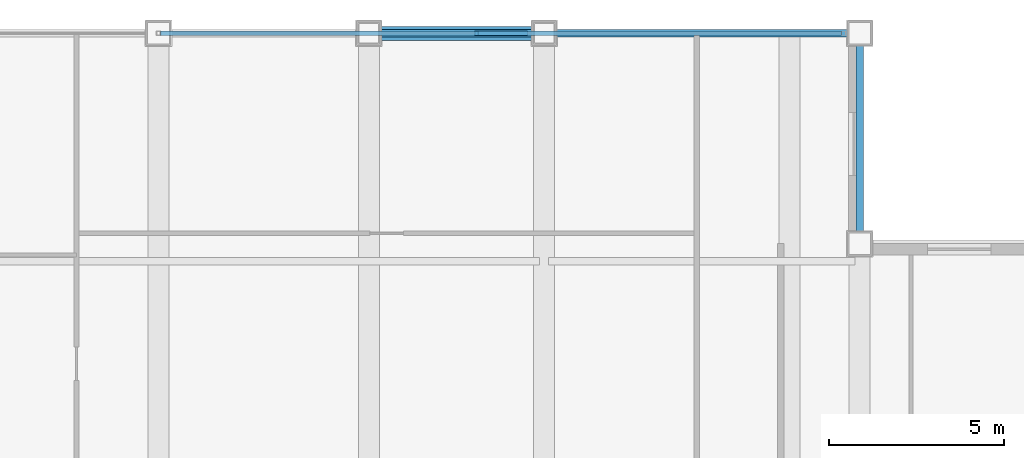
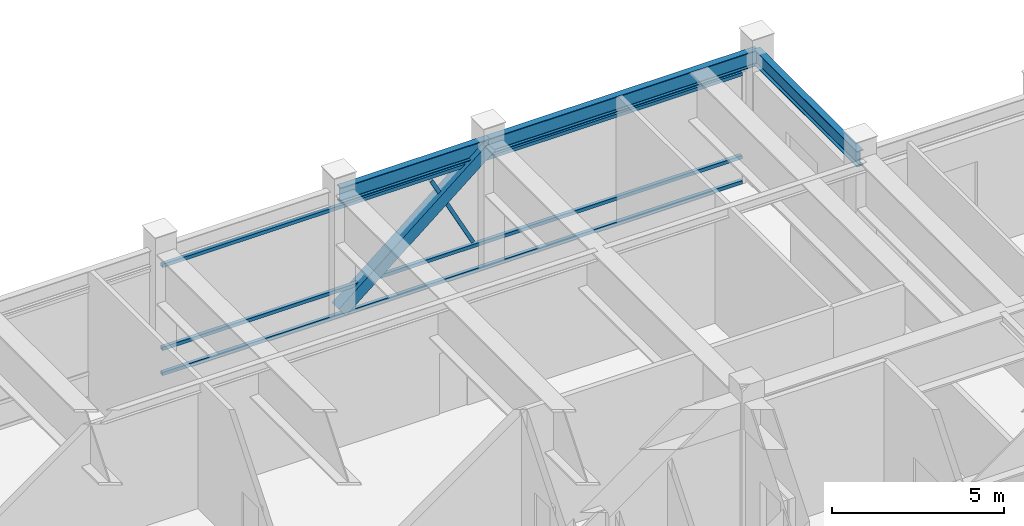
# One storey, part 21 of 29: 5 members, 3 beams, 1 element without a shape of its own.
"""IFC4 building model written with IfcOpenShell, lengths in metres."""

from ifc_helpers import new_model, si_unit, direction, frame, origin, origin_2d, place, context, subcontext, project, spatial, hollow_rectangle, i_section, extrude, source, transform, mapped, material, material_profile, profile_set, type_object, element, aggregate, save


model = new_model("IFC4")

# Units and contexts
model_context = context("Model", 3, precision=1e-05, world=origin(), true_north=direction((0.0, 1.0)))
body_context = subcontext(model_context, "Body", "Model", "MODEL_VIEW")
ifc_project = project(units=[si_unit("LENGTHUNIT", "METRE"), si_unit("AREAUNIT", "SQUARE_METRE"), si_unit("VOLUMEUNIT", "CUBIC_METRE"), si_unit("PLANEANGLEUNIT", "RADIAN"), si_unit("MASSUNIT", "GRAM", prefix="KILO")], contexts=[model_context])

# Site, building, storey
site_placement = place(None, origin())
site = spatial("IfcSite", under=ifc_project, at=site_placement, CompositionType="ELEMENT")
building_placement = place(site_placement, origin())
building = spatial("IfcBuilding", under=site, at=building_placement, Name="Khorayat Bourse Tower", CompositionType="ELEMENT")
storey_placement = place(building_placement, frame((0.0, 0.0, 370.300048828125)))
storey = spatial("IfcBuildingStorey", under=building, at=storey_placement, Name="L88", CompositionType="ELEMENT", Elevation=370.300048828125)

# Beams
ifc_material_1 = material(Name="Steel ASTM A992 Grade 50", Category="steel")
ifc_material_profile_1 = material_profile(ifc_material_1, i_section(OverallWidth=0.214111328125, OverallDepth=0.549072265625, WebThickness=0.0146484375, FlangeThickness=0.023681640625, FilletRadius=0.013916015625, at=origin_2d()), Name="W530X138")
ifc_profile_set_1 = profile_set([ifc_material_profile_1], Name="Steel ASTM A992 Grade 50")
beam_type = type_object("IfcBeamType", Name="BM-SPAN-530", PredefinedType="SPANDREL", material=ifc_profile_set_1)
shared_shape_1 = source(origin(), body_context, "Body", "SweptSolid", [
    extrude(i_section(OverallWidth=0.214111328125, OverallDepth=0.549072265625, WebThickness=0.0146484375, FlangeThickness=0.023681640625, FilletRadius=0.013916015625, at=origin_2d()), origin(), (0.0, 0.0, 1.0), 9.0),
])
beam_1_placement = place(storey_placement, frame((11.0, 26.0, 4.325439453125), z_axis=(1.0, 0.0, 0.0), x_axis=(0.0, 1.0, 0.0)))
element("IfcBeam", 1, at=beam_1_placement, inside=storey, type_object=beam_type, Name="L88 BM-SPAN-530 BM-L88-SPN-040", PredefinedType="SPANDREL", context=body_context, shape_type="MappedRepresentation", body=[
    mapped(shared_shape_1, transform((0.0, 0.0, 0.0), scale=1.0)),
])
shared_shape_2 = source(origin(), body_context, "Body", "SweptSolid", [
    extrude(i_section(OverallWidth=0.214111328125, OverallDepth=0.549072265625, WebThickness=0.0146484375, FlangeThickness=0.023681640625, FilletRadius=0.013916015625, at=origin_2d()), origin(), (0.0, 0.0, 1.0), 5.0),
])
beam_2_placement = place(storey_placement, frame((6.0, 26.0, 4.325439453125), z_axis=(1.0, 0.0, 0.0), x_axis=(0.0, 1.0, 0.0)))
element("IfcBeam", 2, at=beam_2_placement, inside=storey, type_object=beam_type, Name="L88 BM-SPAN-530 BM-L88-SPN-041", PredefinedType="SPANDREL", context=body_context, shape_type="MappedRepresentation", body=[
    mapped(shared_shape_2, transform((0.0, 0.0, 0.0), scale=1.0)),
])
shared_shape_3 = source(origin(), body_context, "Body", "SweptSolid", [
    extrude(i_section(OverallWidth=0.214111328125, OverallDepth=0.549072265625, WebThickness=0.0146484375, FlangeThickness=0.023681640625, FilletRadius=0.013916015625, at=origin_2d()), origin(), (0.0, 0.0, 1.0), 6.0),
])
beam_3_placement = place(storey_placement, frame((20.0, 20.0, 4.325439453125), z_axis=(0.0, 1.0, 0.0), x_axis=(-1.0, 0.0, 0.0)))
element("IfcBeam", 3, at=beam_3_placement, inside=storey, type_object=beam_type, Name="L88 BM-SPAN-530 BM-L88-SPN-039", PredefinedType="SPANDREL", context=body_context, shape_type="MappedRepresentation", body=[
    mapped(shared_shape_3, transform((0.0, 0.0, 0.0), scale=1.0)),
])

# Member
ifc_material_2 = material(Name="Steel EN 10025-4 S460M", Category="steel")
ifc_material_profile_2 = material_profile(ifc_material_2, hollow_rectangle(XDim=0.39990234375, YDim=0.39990234375, WallThickness=0.02197265625, at=origin_2d()), Name="HSS 400x400x22")
ifc_profile_set_2 = profile_set([ifc_material_profile_2], Name="Steel EN 10025-4 S460M")
member_type_1 = type_object("IfcMemberType", Name="MBR-TUBE-400", PredefinedType="BRACE", material=ifc_profile_set_2)
shared_shape_4 = source(origin(), body_context, "Body", "SweptSolid", [
    extrude(hollow_rectangle(XDim=0.39990234375, YDim=0.39990234375, WallThickness=0.02197265625, at=origin_2d()), origin(), (0.0, 0.0, 1.0), 6.466064453125),
])
member_1_placement = place(storey_placement, frame((6.0, 26.0, 0.25), z_axis=(0.773278898257, 0.0, 0.634066041916), x_axis=(0.0, 1.0, 0.0)))
element("IfcMember", 4, at=member_1_placement, inside=storey, type_object=member_type_1, Name="L88 Perimeter Tube Brace 04", PredefinedType="BRACE", context=body_context, shape_type="MappedRepresentation", body=[
    mapped(shared_shape_4, transform((0.0, 0.0, 0.0), scale=1.0)),
])

# Curtain wall, members
ifc_material_3 = material(Name="Aluminium EN AW-6063 T6", Category="aluminium")
curtain_wall_type = type_object("IfcCurtainWallType", Name="CW-SYS-04", PredefinedType="NOTDEFINED", material=ifc_material_3)
curtain_wall_placement = place(storey_placement, origin())
curtain_wall = element("IfcCurtainWall", 5, at=curtain_wall_placement, inside=storey, type_object=curtain_wall_type, Name="L88 Curtain Wall CW-L88-N1", PredefinedType="NOTDEFINED")
ifc_material_profile_3 = material_profile(ifc_material_3, hollow_rectangle(XDim=0.1201171875, YDim=0.1201171875, WallThickness=0.0048828125, at=origin_2d()), Name="ALU 120x120x5")
ifc_profile_set_3 = profile_set([ifc_material_profile_3], Name="Aluminium EN AW-6063 T6")
member_type_2 = type_object("IfcMemberType", Name="CWM-DIAG-120", PredefinedType="MULLION", material=ifc_profile_set_3)
shared_shape_5 = source(origin(), body_context, "Body", "SweptSolid", [
    extrude(hollow_rectangle(XDim=0.1201171875, YDim=0.1201171875, WallThickness=0.0048828125, at=origin_2d()), origin(), (0.0, 0.0, 1.0), 3.006103515625),
])
member_2_placement = place(storey_placement, frame((10.469970703125, 26.0, 1.08984375), z_axis=(-0.465699569312, 0.0, 0.884942885808), x_axis=(0.0, -1.0, 0.0)))
member_2 = element("IfcMember", 6, at=member_2_placement, type_object=member_type_2, Name="CW-L88-N1 Faceted Diagonal Mullion 2", PredefinedType="MULLION", context=body_context, shape_type="MappedRepresentation", body=[
    mapped(shared_shape_5, transform((0.0, 0.0, 0.0), scale=1.0)),
])
ifc_material_profile_4 = material_profile(ifc_material_3, hollow_rectangle(XDim=0.1201171875, YDim=0.1201171875, WallThickness=0.0048828125, at=origin_2d()), Name="ALU 120x120x5")
ifc_profile_set_4 = profile_set([ifc_material_profile_4], Name="Aluminium EN AW-6063 T6")
member_type_3 = type_object("IfcMemberType", Name="CWT-HORZ-120", PredefinedType="USERDEFINED", material=ifc_profile_set_4)
shared_shape_6 = source(origin(), body_context, "Body", "SweptSolid", [
    extrude(hollow_rectangle(XDim=0.1201171875, YDim=0.1201171875, WallThickness=0.0048828125, at=origin_2d()), origin(), (0.0, 0.0, 1.0), 19.419921875),
])
member_3_placement = place(storey_placement, frame((0.06005859375, 26.0, 0.06005859375), z_axis=(1.0, 0.0, 0.0), x_axis=(0.0, 1.0, 0.0)))
member_3 = element("IfcMember", 7, at=member_3_placement, type_object=member_type_3, Name="CW-L88-N1 Horizontal Transom 2-1", ObjectType="TRANSOM", PredefinedType="USERDEFINED", context=body_context, shape_type="MappedRepresentation", body=[
    mapped(shared_shape_6, transform((0.0, 0.0, 0.0), scale=1.0)),
])
member_4_placement = place(storey_placement, frame((0.06005859375, 26.0, 0.949951171875), z_axis=(1.0, 0.0, 0.0), x_axis=(0.0, 1.0, 0.0)))
member_4 = element("IfcMember", 8, at=member_4_placement, type_object=member_type_3, Name="CW-L88-N1 Horizontal Transom 2-2", ObjectType="TRANSOM", PredefinedType="USERDEFINED", context=body_context, shape_type="MappedRepresentation", body=[
    mapped(shared_shape_6, transform((0.0, 0.0, 0.0), scale=1.0)),
])
member_5_placement = place(storey_placement, frame((0.06005859375, 26.0, 3.889892578125), z_axis=(1.0, 0.0, 0.0), x_axis=(0.0, 1.0, 0.0)))
member_5 = element("IfcMember", 9, at=member_5_placement, type_object=member_type_3, Name="CW-L88-N1 Horizontal Transom 2-3", ObjectType="TRANSOM", PredefinedType="USERDEFINED", context=body_context, shape_type="MappedRepresentation", body=[
    mapped(shared_shape_6, transform((0.0, 0.0, 0.0), scale=1.0)),
])
aggregate(curtain_wall, [member_3, member_4, member_5, member_2])

save(model, "model.ifc")
